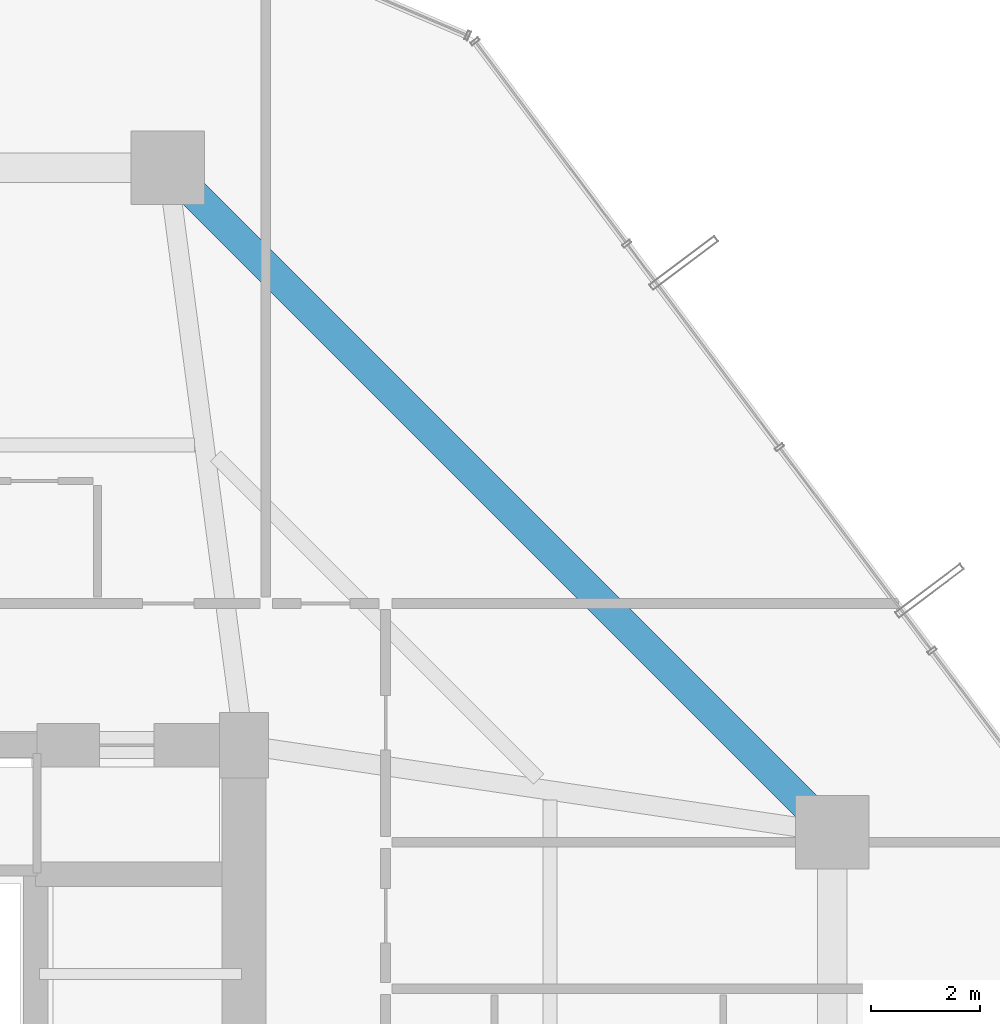
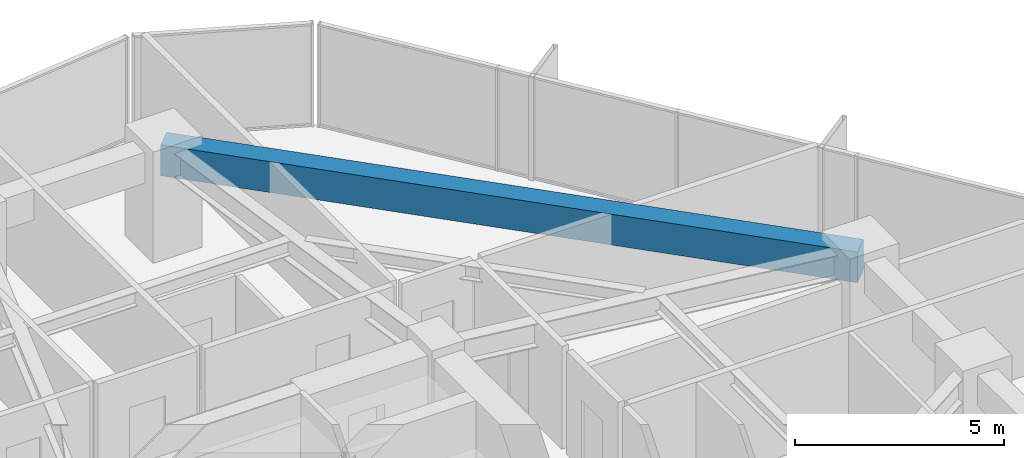
# One storey, part 28 of 37: 1 beam.
"""IFC4 building model written with IfcOpenShell, lengths in metres."""

from ifc_helpers import new_model, si_unit, direction, frame, origin, origin_2d, place, context, subcontext, project, spatial, rectangle, extrude, material, material_profile, profile_set, type_object, element, save


model = new_model("IFC4")

# Units and contexts
model_context = context("Model", 3, precision=1e-05, world=origin(), true_north=direction((0.0, 1.0)))
body_context = subcontext(model_context, "Body", "Model", "MODEL_VIEW")
ifc_project = project(units=[si_unit("LENGTHUNIT", "METRE"), si_unit("AREAUNIT", "SQUARE_METRE"), si_unit("VOLUMEUNIT", "CUBIC_METRE"), si_unit("PLANEANGLEUNIT", "RADIAN"), si_unit("MASSUNIT", "GRAM", prefix="KILO")], contexts=[model_context])

# Site, building, storey
site_placement = place(None, origin())
site = spatial("IfcSite", under=ifc_project, at=site_placement, CompositionType="ELEMENT")
building_placement = place(site_placement, origin())
building = spatial("IfcBuilding", under=site, at=building_placement, Name="Veraguas Prism Commons", CompositionType="ELEMENT")
storey_placement = place(building_placement, frame((0.0, 0.0, 46.800048828125)))
storey = spatial("IfcBuildingStorey", under=building, at=storey_placement, Name="L12", CompositionType="ELEMENT", Elevation=46.800048828125)

# Beam
ifc_material = material(Name="Concrete C50/60", Category="concrete")
ifc_material_profile = material_profile(ifc_material, rectangle(XDim=0.550048828125, YDim=0.89990234375, at=origin_2d()), Name="RC550X900")
ifc_profile_set = profile_set([ifc_material_profile], Name="Concrete C50/60")
beam_type = type_object("IfcBeamType", Name="Perimeter Spandrel Lower RC 550x900", PredefinedType="SPANDREL", material=ifc_profile_set)
beam_placement = place(storey_placement, frame((41.60009765625, 29.39990234375, 2.550048828125), z_axis=(-0.707106781187, 0.707106781187, 0.0), x_axis=(-0.707106781187, -0.707106781187, 0.0)))
element("IfcBeam", 1, at=beam_placement, inside=storey, type_object=beam_type, Name="Perimeter Spandrel Beam L12-SP03", PredefinedType="SPANDREL", context=body_context, shape_type="SweptSolid", body=[
    extrude(rectangle(XDim=0.550048828125, YDim=0.89990234375, at=origin_2d()), origin(), (0.0, 0.0, 1.0), 17.253662109375),
])

save(model, "model.ifc")
